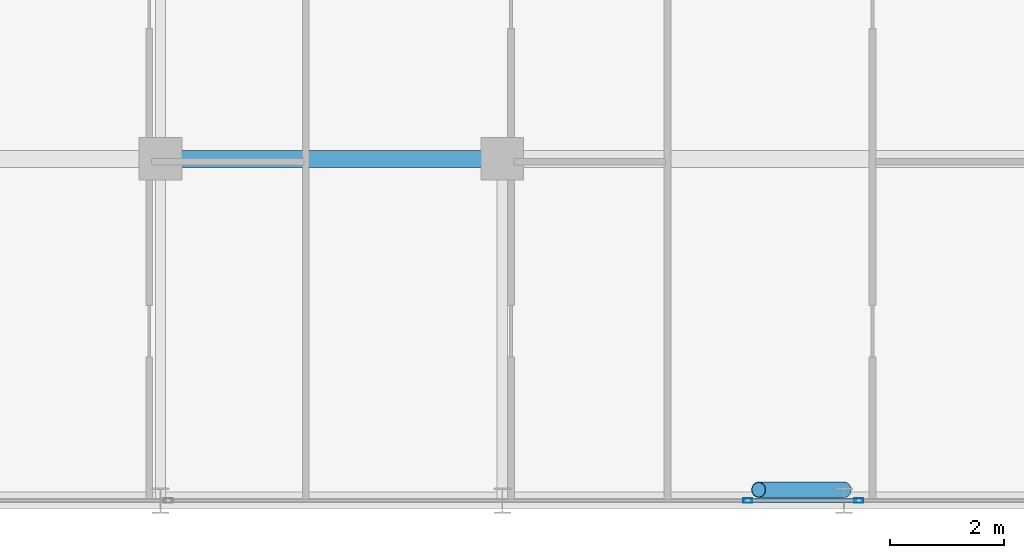
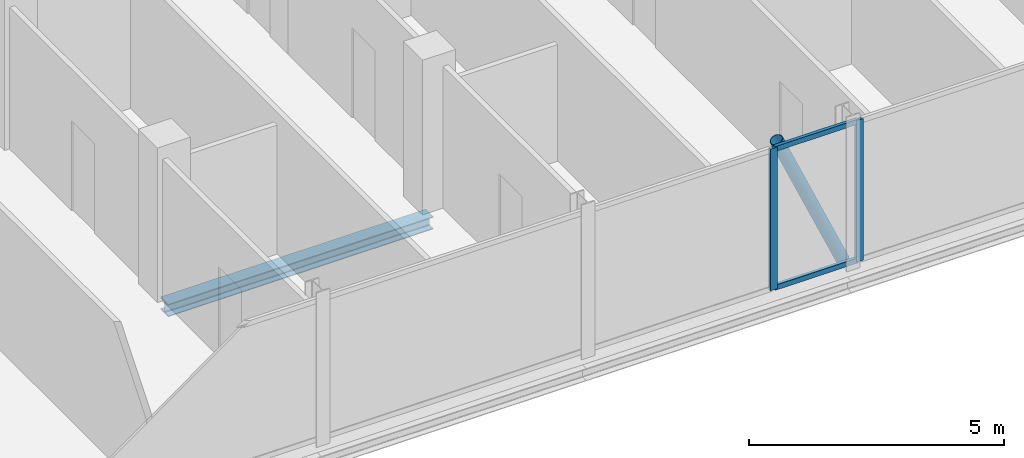
# One storey, part 10 of 29: 5 members, 1 beam, 2 elements without a shape of their own.
"""IFC4 building model written with IfcOpenShell, lengths in metres."""

from ifc_helpers import new_model, si_unit, direction, frame, origin, origin_2d, place, context, subcontext, project, spatial, hollow_rectangle, hollow_circle, i_section, extrude, material, layer, layer_set, material_profile, profile_set, type_object, element, aggregate, save


model = new_model("IFC4")

# Units and contexts
model_context = context("Model", 3, precision=1e-05, world=origin(), true_north=direction((0.0, 1.0)))
body_context = subcontext(model_context, "Body", "Model", "MODEL_VIEW")
ifc_project = project(units=[si_unit("LENGTHUNIT", "METRE"), si_unit("AREAUNIT", "SQUARE_METRE"), si_unit("VOLUMEUNIT", "CUBIC_METRE"), si_unit("PLANEANGLEUNIT", "RADIAN"), si_unit("MASSUNIT", "GRAM", prefix="KILO")], contexts=[model_context])

# Site, building, storey
site_placement = place(None, origin())
site = spatial("IfcSite", under=ifc_project, at=site_placement, CompositionType="ELEMENT")
building_placement = place(site_placement, origin())
building = spatial("IfcBuilding", under=site, at=building_placement, Name="Keshet Zoharim Tower", CompositionType="ELEMENT")
storey_placement = place(building_placement, frame((0.0, 0.0, 222.800048828125)))
storey = spatial("IfcBuildingStorey", under=building, at=storey_placement, Name="L55", CompositionType="ELEMENT", Elevation=222.800048828125)

# Beam
ifc_material_1 = material(Name="Steel S355", Category="steel")
ifc_material_profile_1 = material_profile(ifc_material_1, i_section(OverallWidth=0.300048828125, OverallDepth=0.300048828125, WebThickness=0.010986328125, FlangeThickness=0.01904296875, FilletRadius=0.027099609375, at=origin_2d()), Name="HEB300")
ifc_profile_set_1 = profile_set([ifc_material_profile_1], Name="Steel S355")
beam_type = type_object("IfcBeamType", Name="BM-PRI-HB300", PredefinedType="BEAM", material=ifc_profile_set_1)
beam_placement = place(storey_placement, frame((33.0, 6.699951171875, -0.4599609375), z_axis=(1.0, 0.0, 0.0), x_axis=(0.0, 1.0, 0.0)))
element("IfcBeam", 1, at=beam_placement, inside=storey, type_object=beam_type, Name="L55 Primary Girder X-007", PredefinedType="BEAM", context=body_context, shape_type="SweptSolid", body=[
    extrude(i_section(OverallWidth=0.300048828125, OverallDepth=0.300048828125, WebThickness=0.010986328125, FlangeThickness=0.01904296875, FilletRadius=0.027099609375, at=origin_2d()), origin(), (0.0, 0.0, 1.0), 6.0),
])

# Curtain wall, member
ifc_material_2 = material(Name="Aluminium 6063-T6", Category="aluminium")
ifc_layer = layer(ifc_material_2, 0.139892578125)
ifc_layer_set = layer_set([ifc_layer], Name="Aluminium 6063-T6")
curtain_wall_type = type_object("IfcCurtainWallType", Name="CW-SYS-05", PredefinedType="NOTDEFINED", material=ifc_layer_set)
curtain_wall_1_placement = place(storey_placement, origin())
curtain_wall_1 = element("IfcCurtainWall", 2, at=curtain_wall_1_placement, inside=storey, type_object=curtain_wall_type, Name="L55 Unitised Curtain Wall 06", PredefinedType="NOTDEFINED")
ifc_material_profile_2 = material_profile(ifc_material_2, hollow_rectangle(XDim=0.074951171875, YDim=0.159912109375, WallThickness=0.00390625, at=origin_2d()), Name="MUL-75x160")
ifc_profile_set_2 = profile_set([ifc_material_profile_2], Name="Aluminium 6063-T6")
member_type_1 = type_object("IfcMemberType", Name="CWM-M15", PredefinedType="MULLION", material=ifc_profile_set_2)
member_1_placement = place(storey_placement, frame((45.259765625, 0.699951171875, 0.0), z_axis=(0.0, 0.0, 1.0), x_axis=(0.0, -1.0, 0.0)))
member_1 = element("IfcMember", 3, at=member_1_placement, type_object=member_type_1, Name="CW-05 mullion 2", PredefinedType="MULLION", context=body_context, shape_type="SweptSolid", body=[
    extrude(hollow_rectangle(XDim=0.074951171875, YDim=0.159912109375, WallThickness=0.00390625, at=origin_2d()), origin(), (0.0, 0.0, 1.0), 3.389892578125),
])
aggregate(curtain_wall_1, [member_1])

# Curtain wall, members
curtain_wall_2_placement = place(storey_placement, origin())
curtain_wall_2 = element("IfcCurtainWall", 4, at=curtain_wall_2_placement, inside=storey, type_object=curtain_wall_type, Name="L55 Unitised Curtain Wall 06 Part 2", PredefinedType="NOTDEFINED")
member_2_placement = place(storey_placement, frame((43.310302734375, 0.699951171875, 0.0), z_axis=(0.0, 0.0, 1.0), x_axis=(0.0, -1.0, 0.0)))
member_2 = element("IfcMember", 5, at=member_2_placement, type_object=member_type_1, Name="CW-05 mullion 2", PredefinedType="MULLION", context=body_context, shape_type="SweptSolid", body=[
    extrude(hollow_rectangle(XDim=0.074951171875, YDim=0.159912109375, WallThickness=0.00390625, at=origin_2d()), origin(), (0.0, 0.0, 1.0), 3.389892578125),
])
ifc_material_profile_3 = material_profile(ifc_material_2, hollow_rectangle(XDim=0.074951171875, YDim=0.1201171875, WallThickness=0.00390625, at=origin_2d()), Name="TRN-75x120")
ifc_profile_set_3 = profile_set([ifc_material_profile_3], Name="Aluminium 6063-T6")
member_type_2 = type_object("IfcMemberType", Name="CWT-T12", PredefinedType="USERDEFINED", material=ifc_profile_set_3)
member_3_placement = place(storey_placement, frame((45.224853515625, 0.699951171875, 0.034912109375), z_axis=(-1.0, 0.0, 0.0), x_axis=(0.0, -1.0, 0.0)))
member_3 = element("IfcMember", 6, at=member_3_placement, type_object=member_type_2, Name="CW-05 transom 1.1", ObjectType="TRANSOM", PredefinedType="USERDEFINED", context=body_context, shape_type="SweptSolid", body=[
    extrude(hollow_rectangle(XDim=0.074951171875, YDim=0.1201171875, WallThickness=0.00390625, at=origin_2d()), origin(), (0.0, 0.0, 1.0), 1.879638671875),
])
member_4_placement = place(storey_placement, frame((45.224853515625, 0.699951171875, 3.35498046875), z_axis=(-1.0, 0.0, 0.0), x_axis=(0.0, -1.0, 0.0)))
member_4 = element("IfcMember", 7, at=member_4_placement, type_object=member_type_2, Name="CW-05 transom 1.2", ObjectType="TRANSOM", PredefinedType="USERDEFINED", context=body_context, shape_type="SweptSolid", body=[
    extrude(hollow_rectangle(XDim=0.074951171875, YDim=0.1201171875, WallThickness=0.00390625, at=origin_2d()), origin(), (0.0, 0.0, 1.0), 1.879638671875),
])
aggregate(curtain_wall_2, [member_2, member_3, member_4])

# Member
ifc_material_profile_4 = material_profile(ifc_material_1, hollow_circle(Radius=0.136474609375, WallThickness=0.010009765625, at=origin_2d()), Name="CHS273x10")
ifc_profile_set_4 = profile_set([ifc_material_profile_4], Name="Steel S355")
member_type_3 = type_object("IfcMemberType", Name="MB-BR-C273", PredefinedType="BRACE", material=ifc_profile_set_4)
member_5_placement = place(storey_placement, frame((45.0, 0.889892578125, 0.0), z_axis=(-0.40464689807, 0.0, 0.914473011019), x_axis=(0.0, -1.0, 0.0)))
element("IfcMember", 8, at=member_5_placement, inside=storey, type_object=member_type_3, Name="L55 Perimeter Tube Brace 03", PredefinedType="BRACE", context=body_context, shape_type="SweptSolid", body=[
    extrude(hollow_circle(Radius=0.136474609375, WallThickness=0.010009765625, at=origin_2d()), origin(), (0.0, 0.0, 1.0), 3.70703125),
])

save(model, "model.ifc")
